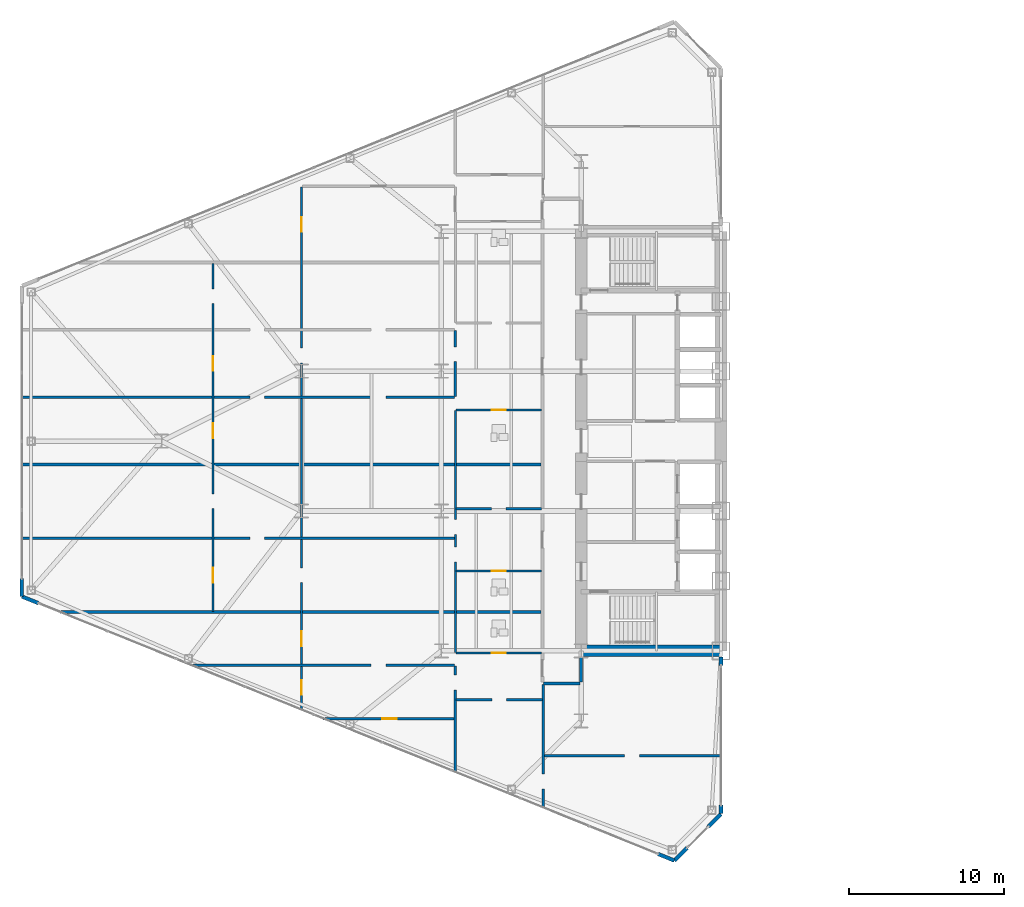
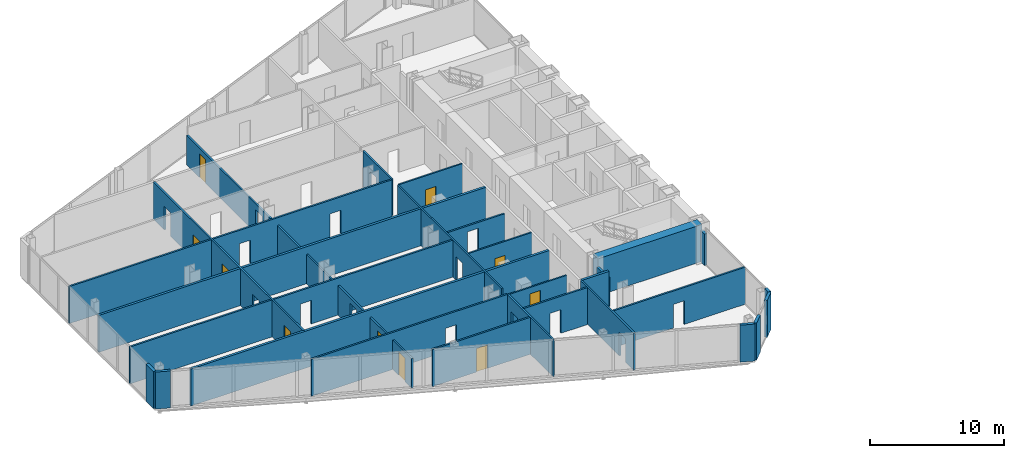
# One storey, part 17 of 25: 28 walls, 10 doors, 26 openings.
"""IFC4 building model written with IfcOpenShell, lengths in metres."""

import ifcopenshell
import ifcopenshell.guid

model = None  # the IFC model being written
_history = None  # IfcOwnerHistory: only IFC2X3 demands one
_inside = {}  # id of a spatial element -> (the spatial element, [elements in it])
_under = {}  # id of a project, library or spatial element -> (it, [spatial elements below it])
_declared = {}  # id of a project -> (the project, [libraries it declares])
_typed = {}  # id of a type object -> (the type object, [elements of that type])
_made_of = {}  # id of a material, layer set ... -> (it, [elements and type objects made of it])


def new_model(schema):
    """Start an empty IFC model of exactly this schema.

    Asked for "IFC4X3", IfcOpenShell would pick the latest addendum, in which some entities
    have other attributes; the version numbers below select the first issue.
    IFC2X3 requires an IfcOwnerHistory on every rooted entity: one is made here for all.
    """
    global model, _history
    if schema == "IFC4X3":
        model = ifcopenshell.file(schema_version=(4, 3, 0, 0))
    else:
        model = ifcopenshell.file(schema=schema)
    _inside.clear()
    _under.clear()
    _declared.clear()
    _typed.clear()
    _made_of.clear()
    _history = None
    if model.schema == "IFC2X3":
        org = make("IfcOrganization", Name="unknown")
        user = make(
            "IfcPersonAndOrganization",
            ThePerson=make("IfcPerson", FamilyName="unknown"),
            TheOrganization=org,
        )
        app = make(
            "IfcApplication",
            ApplicationDeveloper=org,
            Version="unknown",
            ApplicationFullName="unknown",
            ApplicationIdentifier="unknown",
        )
        _history = make(
            "IfcOwnerHistory",
            OwningUser=user,
            OwningApplication=app,
            ChangeAction="ADDED",
            CreationDate=0,
        )
    return model


def make(cls, **values):
    """One entity of the class cls with the attributes given. An attribute that is None is left unset."""
    return model.create_entity(
        cls, **{name: value for name, value in values.items() if value is not None}
    )


def rooted(cls, **values):
    """An entity with a GlobalId (a new one), such as an element, a storey or a relation."""
    return make(cls, GlobalId=ifcopenshell.guid.new(), OwnerHistory=_history, **values)


def si_unit(unit_type, name, prefix=None):
    """IfcSIUnit, for example si_unit("LENGTHUNIT", "METRE", prefix="MILLI")."""
    return make("IfcSIUnit", UnitType=unit_type, Prefix=prefix, Name=name)


def assignment(units):
    """IfcUnitAssignment: the units of a project."""
    return None if units is None else make("IfcUnitAssignment", Units=units)


def point(xyz):
    """IfcCartesianPoint."""
    return None if xyz is None else make("IfcCartesianPoint", Coordinates=xyz)


def direction(xyz):
    """IfcDirection."""
    return None if xyz is None else make("IfcDirection", DirectionRatios=xyz)


def frame(location, z_axis=None, x_axis=None):
    """IfcAxis2Placement3D, a coordinate frame: its origin and axes. An axis left out is left unset."""
    return make(
        "IfcAxis2Placement3D",
        Location=point(location),
        Axis=direction(z_axis),
        RefDirection=direction(x_axis),
    )


def frame_2d(location, x_axis=None):
    """IfcAxis2Placement2D, a coordinate frame in the plane: its origin and x axis."""
    return make(
        "IfcAxis2Placement2D", Location=point(location), RefDirection=direction(x_axis)
    )


def origin():
    """The frame at (0, 0, 0) with its axes left unset."""
    return frame((0.0, 0.0, 0.0))


def place(relative_to, where):
    """IfcLocalPlacement: puts the frame where relative to a parent placement (None: the world)."""
    return make(
        "IfcLocalPlacement", PlacementRelTo=relative_to, RelativePlacement=where
    )


def context(
    kind, dimensions, precision=None, world=None, true_north=None, identifier=None
):
    """IfcGeometricRepresentationContext, for example the 3D "Model" context."""
    return make(
        "IfcGeometricRepresentationContext",
        ContextIdentifier=identifier,
        ContextType=kind,
        CoordinateSpaceDimension=dimensions,
        Precision=precision,
        WorldCoordinateSystem=world,
        TrueNorth=true_north,
    )


def subcontext(parent, identifier, kind, view, scale=None):
    """IfcGeometricRepresentationSubContext, for example "Body" below "Model"."""
    return make(
        "IfcGeometricRepresentationSubContext",
        ContextIdentifier=identifier,
        ContextType=kind,
        ParentContext=parent,
        TargetScale=scale,
        TargetView=view,
    )


def project(units=None, contexts=None):
    """IfcProject with its units and contexts."""
    return rooted(
        "IfcProject",
        Name="project",
        RepresentationContexts=contexts,
        UnitsInContext=assignment(units),
    )


def spatial(cls, under=None, at=None, **own):
    """A site, building, storey or space (cls), placed at a placement, below another one or the project."""
    s = rooted(cls, ObjectPlacement=at, **own)
    if under is not None:
        _under.setdefault(under.id(), (under, []))[1].append(s)
    return s


def profile(cls, at=None, kind="AREA", **sizes):
    """A parametric profile (cls). Its sizes go by their IFC names, for example OverallWidth=200.0."""
    return make(cls, ProfileType=kind, Position=at, **sizes)


def rectangle(**sizes):
    """IfcRectangleProfileDef."""
    return profile("IfcRectangleProfileDef", **sizes)


def extrude(swept, where, along, depth):
    """IfcExtrudedAreaSolid: the profile swept, set in the frame where, extruded along a direction by depth."""
    return make(
        "IfcExtrudedAreaSolid",
        SweptArea=swept,
        Position=where,
        ExtrudedDirection=direction(along),
        Depth=depth,
    )


def shape(context_of_items, identifier, shape_type, items):
    """IfcShapeRepresentation: the items that make up one representation, for example the "Body"."""
    return make(
        "IfcShapeRepresentation",
        ContextOfItems=context_of_items,
        RepresentationIdentifier=identifier,
        RepresentationType=shape_type,
        Items=items,
    )


def source(mapping_origin, context_of_items, identifier, shape_type, items):
    """IfcRepresentationMap: a shape defined once, which mapped items show again and again."""
    return make(
        "IfcRepresentationMap",
        MappingOrigin=mapping_origin,
        MappedRepresentation=shape(context_of_items, identifier, shape_type, items),
    )


def transform(
    local_origin,
    x_axis=None,
    y_axis=None,
    z_axis=None,
    scale=None,
    scale2=None,
    scale3=None,
    uniform=True,
):
    """IfcCartesianTransformationOperator3D, or its non-uniform kind. x_axis, y_axis, z_axis: its Axis1, 2, 3."""
    if uniform:
        return make(
            "IfcCartesianTransformationOperator3D",
            Axis1=direction(x_axis),
            Axis2=direction(y_axis),
            LocalOrigin=point(local_origin),
            Scale=scale,
            Axis3=direction(z_axis),
        )
    return make(
        "IfcCartesianTransformationOperator3DnonUniform",
        Axis1=direction(x_axis),
        Axis2=direction(y_axis),
        LocalOrigin=point(local_origin),
        Scale=scale,
        Axis3=direction(z_axis),
        Scale2=scale2,
        Scale3=scale3,
    )


def mapped(mapping_source, mapping_target):
    """IfcMappedItem: shows the shape of a source again, moved by a transform."""
    return make(
        "IfcMappedItem", MappingSource=mapping_source, MappingTarget=mapping_target
    )


def material(Name=None, Category=None):
    """IfcMaterial."""
    return make("IfcMaterial", Name=Name, Category=Category)


def layer(
    of_material, thickness, ventilated=None, Name=None, Category=None, Priority=None
):
    """IfcMaterialLayer: one layer of a wall or slab, of a material (None: an air gap)."""
    return make(
        "IfcMaterialLayer",
        Material=of_material,
        LayerThickness=thickness,
        IsVentilated=ventilated,
        Name=Name,
        Category=Category,
        Priority=Priority,
    )


def layer_set(layers, Name=None):
    """IfcMaterialLayerSet."""
    return make("IfcMaterialLayerSet", MaterialLayers=layers, LayerSetName=Name)


def made_of(thing, what):
    """Note that an element or type object is made of a material, layer set ...; save() writes the relation."""
    if what is not None:
        _made_of.setdefault(what.id(), (what, []))[1].append(thing)
    return thing


def type_object(cls, material=None, **own):
    """A type object (cls), such as IfcWallType, which elements share."""
    return made_of(rooted(cls, **own), material)


def type_shapes(of_type, sources):
    """Give a type object the sources (RepresentationMaps) that its elements show as mapped items."""
    of_type.RepresentationMaps = sources


def element(
    cls,
    number,
    at=None,
    inside=None,
    cuts=None,
    type_object=None,
    material=None,
    context=None,
    identifier="Body",
    shape_type=None,
    held_by="IfcProductDefinitionShape",
    body=None,
    shapes=None,
    **own,
):
    """One element of the class cls, such as IfcWall. Its Tag is "e" and its number.

    at: its placement. inside: the storey or other place that contains it. cuts: it is an
    opening in that element (IfcRelVoidsElement). A single representation is given by context,
    identifier, shape_type and body (its items); several are given by shapes. held_by: the class
    of the entity that holds the representations. save() writes the other relations.
    """
    e = rooted(cls, Tag="e%d" % number, ObjectPlacement=at, **own)
    if body is not None:
        shapes = [shape(context, identifier, shape_type, body)]
    if shapes is not None:
        e.Representation = make(held_by, Representations=shapes)
    if inside is not None:
        _inside.setdefault(inside.id(), (inside, []))[1].append(e)
    if cuts is not None:
        rooted(
            "IfcRelVoidsElement", RelatingBuildingElement=cuts, RelatedOpeningElement=e
        )
    if type_object is not None:
        _typed.setdefault(type_object.id(), (type_object, []))[1].append(e)
    return made_of(e, material)


def fill(opening, filler):
    """IfcRelFillsElement: the door or window that sits in an opening."""
    return rooted(
        "IfcRelFillsElement",
        RelatingOpeningElement=opening,
        RelatedBuildingElement=filler,
    )


def aggregate(whole, parts):
    """IfcRelAggregates: a whole, such as a stair, and the parts it consists of."""
    return rooted("IfcRelAggregates", RelatingObject=whole, RelatedObjects=parts)


def save(model, path):
    """Write the relations noted so far, then the file.

    IfcRelAggregates (storeys below a building ...), IfcRelContainedInSpatialStructure (elements
    in a storey), IfcRelDefinesByType, IfcRelAssociatesMaterial and IfcRelDeclares: one each for
    every whole, place, type object, material and project.
    """
    for whole, parts in _under.values():
        aggregate(whole, parts)
    for where, things in _inside.values():
        rooted(
            "IfcRelContainedInSpatialStructure",
            RelatedElements=things,
            RelatingStructure=where,
        )
    for kind, things in _typed.values():
        rooted("IfcRelDefinesByType", RelatedObjects=things, RelatingType=kind)
    for what, things in _made_of.values():
        rooted("IfcRelAssociatesMaterial", RelatedObjects=things, RelatingMaterial=what)
    for by, libraries in _declared.values():
        rooted("IfcRelDeclares", RelatingContext=by, RelatedDefinitions=libraries)
    model.write(path)


model = new_model("IFC4")

# Units and contexts
model_context = context("Model", 3, precision=1e-05, world=origin(), true_north=direction((0.0, 1.0)))
body_context = subcontext(model_context, "Body", "Model", "MODEL_VIEW")
ifc_project = project(units=[si_unit("LENGTHUNIT", "METRE"), si_unit("AREAUNIT", "SQUARE_METRE"), si_unit("VOLUMEUNIT", "CUBIC_METRE"), si_unit("PLANEANGLEUNIT", "RADIAN"), si_unit("MASSUNIT", "GRAM", prefix="KILO")], contexts=[model_context])

# Site, building, storey
site_placement = place(None, origin())
site = spatial("IfcSite", under=ifc_project, at=site_placement, CompositionType="ELEMENT")
building_placement = place(site_placement, origin())
building = spatial("IfcBuilding", under=site, at=building_placement, Name="Seokmaru Belvedere", CompositionType="ELEMENT")
storey_placement = place(building_placement, frame((0.0, 0.0, 40.5)))
storey = spatial("IfcBuildingStorey", under=building, at=storey_placement, Name="L10", CompositionType="ELEMENT", Elevation=40.5)

# Wall, opening
ifc_material_1 = material(Name="Fire-Rated Gypsum Shaftwall")
ifc_layer_1 = layer(ifc_material_1, 0.14990234375)
ifc_layer_set_1 = layer_set([ifc_layer_1], Name="Fire-Rated Gypsum Shaftwall")
wall_type_1 = type_object("IfcWallType", Name="Apartment Fire-Acoustic Room Partition 150", PredefinedType="PARTITIONING", material=ifc_layer_set_1)
wall_1_placement = place(storey_placement, frame((-38.89990234375, -20.25, 0.0), z_axis=(0.0, 0.0, 1.0), x_axis=(1.0, 0.0, 0.0)))
wall_1 = element("IfcWall", 1, at=wall_1_placement, inside=storey, type_object=wall_type_1, Name="L10 Interior Partition 001", PredefinedType="PARTITIONING", context=body_context, shape_type="SweptSolid", body=[
    extrude(rectangle(XDim=11.434814453125, YDim=0.14990234375, at=frame_2d((5.71728515625, 0.0))), origin(), (0.0, 0.0, 1.0), 3.3798828125),
])
opening_1_placement = place(wall_1_placement, frame((5.199951171875, 0.0, 0.0)))
element("IfcOpeningElement", 2, at=opening_1_placement, cuts=wall_1, Name="L10 Cased Opening 010", PredefinedType="OPENING", context=body_context, shape_type="SweptSolid", body=[
    extrude(rectangle(XDim=0.949951171875, YDim=2.14990234375, at=frame_2d((0.47509765625, 1.074951171875))), frame((0.0, 0.0849609375, 0.0), z_axis=(0.0, -1.0, 0.0), x_axis=(1.0, 0.0, 0.0)), (0.0, 0.0, 1.0), 0.169921875),
])

# Wall, opening, door
wall_2_placement = place(storey_placement, frame((-53.111083984375, -17.860107421875, 0.0), z_axis=(0.0, 0.0, 1.0), x_axis=(1.0, 0.0, 0.0)))
wall_2 = element("IfcWall", 3, at=wall_2_placement, inside=storey, type_object=wall_type_1, Name="L10 Interior Partition 004", PredefinedType="PARTITIONING", context=body_context, shape_type="SweptSolid", body=[
    extrude(rectangle(XDim=8.461181640625, YDim=0.14990234375, at=frame_2d((4.23046875, 0.0))), origin(), (0.0, 0.0, 1.0), 3.3798828125),
])
opening_2_placement = place(wall_2_placement, frame((3.797607421875, 0.0, 0.0)))
opening_2 = element("IfcOpeningElement", 4, at=opening_2_placement, cuts=wall_2, Name="Opening D05", PredefinedType="OPENING", context=body_context, shape_type="SweptSolid", body=[
    extrude(rectangle(XDim=0.949951171875, YDim=2.14990234375, at=frame_2d((0.47509765625, 1.074951171875))), frame((0.0, 0.0849609375, 0.0), z_axis=(0.0, -1.0, 0.0), x_axis=(1.0, 0.0, 0.0)), (0.0, 0.0, 1.0), 0.169921875),
])
ifc_material_2 = material(Name="Engineered White Oak Timber", Category="wood")
door_type_1 = type_object("IfcDoorType", Name="Apartment Interior Fire-Rated Oak Door 950x2150", OperationType="NOTDEFINED", PredefinedType="DOOR", material=ifc_material_2)
shared_shape_1 = source(origin(), body_context, "Body", "SweptSolid", [
    extrude(rectangle(XDim=0.949951171875, YDim=2.14990234375, at=frame_2d((0.47509765625, 1.074951171875))), frame((0.0, 0.02490234375, 0.0), z_axis=(0.0, -1.0, 0.0), x_axis=(1.0, 0.0, 0.0)), (0.0, 0.0, 1.0), 0.050048828125),
])
type_shapes(door_type_1, [shared_shape_1])
door_1_placement = place(opening_2_placement, origin())
door_1 = element("IfcDoor", 5, at=door_1_placement, inside=storey, type_object=door_type_1, Name="L10 Interior Door 006", OperationType="SINGLE_SWING_RIGHT", OverallHeight=2.14990234375, OverallWidth=0.949951171875, PredefinedType="DOOR", context=body_context, shape_type="MappedRepresentation", body=[
    mapped(shared_shape_1, transform((0.0, 0.0, 0.0), scale=1.0)),
])
fill(opening_2, door_1)

# Wall, opening
wall_3_placement = place(storey_placement, frame((-44.550048828125, -16.639892578125, 0.0), z_axis=(0.0, 0.0, 1.0), x_axis=(1.0, 0.0, 0.0)))
wall_3 = element("IfcWall", 6, at=wall_3_placement, inside=storey, type_object=wall_type_1, Name="L10 Interior Partition 006", PredefinedType="PARTITIONING", context=body_context, shape_type="SweptSolid", body=[
    extrude(rectangle(XDim=5.550048828125, YDim=0.14990234375, at=frame_2d((2.77490234375, 0.0))), origin(), (0.0, 0.0, 1.0), 3.3798828125),
])
opening_3_placement = place(wall_3_placement, frame((2.300048828125, 0.0, 0.0)))
element("IfcOpeningElement", 7, at=opening_3_placement, cuts=wall_3, Name="L10 Cased Opening 003", PredefinedType="OPENING", context=body_context, shape_type="SweptSolid", body=[
    extrude(rectangle(XDim=0.949951171875, YDim=2.14990234375, at=frame_2d((0.47509765625, 1.074951171875))), frame((0.0, 0.0849609375, 0.0), z_axis=(0.0, -1.0, 0.0), x_axis=(1.0, 0.0, 0.0)), (0.0, 0.0, 1.0), 0.169921875),
])

wall_4_placement = place(storey_placement, frame((-61.587890625, -14.429931640625, 0.0), z_axis=(0.0, 0.0, 1.0), x_axis=(1.0, 0.0, 0.0)))
wall_4 = element("IfcWall", 8, at=wall_4_placement, inside=storey, type_object=wall_type_1, Name="L10 Interior Partition 010", PredefinedType="PARTITIONING", context=body_context, shape_type="SweptSolid", body=[
    extrude(rectangle(XDim=16.93798828125, YDim=0.14990234375, at=frame_2d((8.468994140625, 0.0))), origin(), (0.0, 0.0, 1.0), 3.3798828125),
])
opening_4_placement = place(wall_4_placement, frame((11.56298828125, 0.0, 0.0)))
element("IfcOpeningElement", 9, at=opening_4_placement, cuts=wall_4, Name="L10 Cased Opening 007", PredefinedType="OPENING", context=body_context, shape_type="SweptSolid", body=[
    extrude(rectangle(XDim=0.949951171875, YDim=2.14990234375, at=frame_2d((0.47509765625, 1.074951171875))), frame((0.0, 0.0849609375, 0.0), z_axis=(0.0, -1.0, 0.0), x_axis=(1.0, 0.0, 0.0)), (0.0, 0.0, 1.0), 0.169921875),
])

wall_5_placement = place(storey_placement, frame((-72.534912109375, -6.25, 0.0), z_axis=(0.0, 0.0, 1.0), x_axis=(1.0, 0.0, 0.0)))
wall_5 = element("IfcWall", 10, at=wall_5_placement, inside=storey, type_object=wall_type_1, Name="L10 Interior Partition 018", PredefinedType="PARTITIONING", context=body_context, shape_type="SweptSolid", body=[
    extrude(rectangle(XDim=27.885009765625, YDim=0.14990234375, at=frame_2d((13.9423828125, 0.0))), origin(), (0.0, 0.0, 1.0), 3.3798828125),
])
opening_5_placement = place(wall_5_placement, frame((14.7099609375, 0.0, 0.0)))
element("IfcOpeningElement", 11, at=opening_5_placement, cuts=wall_5, Name="L10 Cased Opening 018", PredefinedType="OPENING", context=body_context, shape_type="SweptSolid", body=[
    extrude(rectangle(XDim=0.949951171875, YDim=2.14990234375, at=frame_2d((0.47509765625, 1.074951171875))), frame((0.0, 0.0849609375, 0.0), z_axis=(0.0, -1.0, 0.0), x_axis=(1.0, 0.0, 0.0)), (0.0, 0.0, 1.0), 0.169921875),
])

wall_6_placement = place(storey_placement, frame((-44.550048828125, -4.35009765625, 0.0), z_axis=(0.0, 0.0, 1.0), x_axis=(1.0, 0.0, 0.0)))
wall_6 = element("IfcWall", 12, at=wall_6_placement, inside=storey, type_object=wall_type_1, Name="L10 Interior Partition 019", PredefinedType="PARTITIONING", context=body_context, shape_type="SweptSolid", body=[
    extrude(rectangle(XDim=5.5, YDim=0.14990234375, at=frame_2d((2.75, 0.0))), origin(), (0.0, 0.0, 1.0), 2.679931640625),
])
opening_6_placement = place(wall_6_placement, frame((2.27490234375, 0.0, 0.0)))
element("IfcOpeningElement", 13, at=opening_6_placement, cuts=wall_6, Name="L10 Cased Opening 013", PredefinedType="OPENING", context=body_context, shape_type="SweptSolid", body=[
    extrude(rectangle(XDim=0.949951171875, YDim=2.14990234375, at=frame_2d((0.47509765625, 1.074951171875))), frame((0.0, 0.0849609375, 0.0), z_axis=(0.0, -1.0, 0.0), x_axis=(1.0, 0.0, 0.0)), (0.0, 0.0, 1.0), 0.169921875),
])

# Wall, openings
wall_7_placement = place(storey_placement, frame((-72.534912109375, 2.830078125, 0.0), z_axis=(0.0, 0.0, 1.0), x_axis=(1.0, 0.0, 0.0)))
wall_7 = element("IfcWall", 14, at=wall_7_placement, inside=storey, type_object=wall_type_1, Name="L10 Interior Partition 025", PredefinedType="PARTITIONING", context=body_context, shape_type="SweptSolid", body=[
    extrude(rectangle(XDim=27.885009765625, YDim=0.14990234375, at=frame_2d((13.9423828125, 0.0))), origin(), (0.0, 0.0, 1.0), 3.3798828125),
])
opening_7_placement = place(wall_7_placement, frame((22.510009765625, 0.0, 0.0)))
element("IfcOpeningElement", 15, at=opening_7_placement, cuts=wall_7, Name="L10 Cased Opening 025", PredefinedType="OPENING", context=body_context, shape_type="SweptSolid", body=[
    extrude(rectangle(XDim=0.949951171875, YDim=2.14990234375, at=frame_2d((0.47509765625, 1.074951171875))), frame((0.0, 0.0849609375, 0.0), z_axis=(0.0, -1.0, 0.0), x_axis=(1.0, 0.0, 0.0)), (0.0, 0.0, 1.0), 0.169921875),
])
opening_8_placement = place(wall_7_placement, frame((14.7099609375, 0.0, 0.0)))
element("IfcOpeningElement", 16, at=opening_8_placement, cuts=wall_7, Name="L10 Cased Opening 027", PredefinedType="OPENING", context=body_context, shape_type="SweptSolid", body=[
    extrude(rectangle(XDim=0.949951171875, YDim=2.14990234375, at=frame_2d((0.47509765625, 1.074951171875))), frame((0.0, 0.0849609375, 0.0), z_axis=(0.0, -1.0, 0.0), x_axis=(1.0, 0.0, 0.0)), (0.0, 0.0, 1.0), 0.169921875),
])

# Wall, openings, doors
wall_8_placement = place(storey_placement, frame((-60.199951171875, -10.949951171875, 0.0), z_axis=(0.0, 0.0, 1.0), x_axis=(0.0, 1.0, 0.0)))
wall_8 = element("IfcWall", 17, at=wall_8_placement, inside=storey, type_object=wall_type_1, Name="L10 Interior Partition 045", PredefinedType="PARTITIONING", context=body_context, shape_type="SweptSolid", body=[
    extrude(rectangle(XDim=22.39990234375, YDim=0.14990234375, at=frame_2d((11.199951171875, 0.0))), origin(), (0.0, 0.0, 1.0), 3.3798828125),
])
opening_9_placement = place(wall_8_placement, frame((1.85009765625, 0.0, 0.0)))
opening_9 = element("IfcOpeningElement", 18, at=opening_9_placement, cuts=wall_8, Name="Opening D05", PredefinedType="OPENING", context=body_context, shape_type="SweptSolid", body=[
    extrude(rectangle(XDim=0.949951171875, YDim=2.14990234375, at=frame_2d((0.47509765625, 1.074951171875))), frame((0.0, 0.0849609375, 0.0), z_axis=(0.0, -1.0, 0.0), x_axis=(1.0, 0.0, 0.0)), (0.0, 0.0, 1.0), 0.169921875),
])
opening_10_placement = place(wall_8_placement, frame((6.60009765625, 0.0, 0.0)))
element("IfcOpeningElement", 19, at=opening_10_placement, cuts=wall_8, Name="L10 Cased Opening 019", PredefinedType="OPENING", context=body_context, shape_type="SweptSolid", body=[
    extrude(rectangle(XDim=0.949951171875, YDim=2.14990234375, at=frame_2d((0.47509765625, 1.074951171875))), frame((0.0, 0.0849609375, 0.0), z_axis=(0.0, -1.0, 0.0), x_axis=(1.0, 0.0, 0.0)), (0.0, 0.0, 1.0), 0.169921875),
])
opening_11_placement = place(wall_8_placement, frame((11.1416015625, 0.0, 0.0)))
opening_11 = element("IfcOpeningElement", 20, at=opening_11_placement, cuts=wall_8, Name="Opening D05", PredefinedType="OPENING", context=body_context, shape_type="SweptSolid", body=[
    extrude(rectangle(XDim=0.949951171875, YDim=2.14990234375, at=frame_2d((0.47509765625, 1.074951171875))), frame((0.0, 0.0849609375, 0.0), z_axis=(0.0, -1.0, 0.0), x_axis=(1.0, 0.0, 0.0)), (0.0, 0.0, 1.0), 0.169921875),
])
opening_12_placement = place(wall_8_placement, frame((15.47509765625, 0.0, 0.0)))
opening_12 = element("IfcOpeningElement", 21, at=opening_12_placement, cuts=wall_8, Name="Opening D05", PredefinedType="OPENING", context=body_context, shape_type="SweptSolid", body=[
    extrude(rectangle(XDim=0.949951171875, YDim=2.14990234375, at=frame_2d((0.47509765625, 1.074951171875))), frame((0.0, 0.0849609375, 0.0), z_axis=(0.0, -1.0, 0.0), x_axis=(1.0, 0.0, 0.0)), (0.0, 0.0, 1.0), 0.169921875),
])
opening_13_placement = place(wall_8_placement, frame((19.808349609375, 0.0, 0.0)))
element("IfcOpeningElement", 22, at=opening_13_placement, cuts=wall_8, Name="L10 Cased Opening 031", PredefinedType="OPENING", context=body_context, shape_type="SweptSolid", body=[
    extrude(rectangle(XDim=0.949951171875, YDim=2.14990234375, at=frame_2d((0.47509765625, 1.074951171875))), frame((0.0, 0.0849609375, 0.0), z_axis=(0.0, -1.0, 0.0), x_axis=(1.0, 0.0, 0.0)), (0.0, 0.0, 1.0), 0.169921875),
])
door_2_placement = place(opening_9_placement, origin())
door_2 = element("IfcDoor", 23, at=door_2_placement, inside=storey, type_object=door_type_1, Name="L10 Interior Door 017", OperationType="SINGLE_SWING_RIGHT", OverallHeight=2.14990234375, OverallWidth=0.949951171875, PredefinedType="DOOR", context=body_context, shape_type="MappedRepresentation", body=[
    mapped(shared_shape_1, transform((0.0, 0.0, 0.0), scale=1.0)),
])
fill(opening_9, door_2)
door_3_placement = place(opening_11_placement, origin())
door_3 = element("IfcDoor", 24, at=door_3_placement, inside=storey, type_object=door_type_1, Name="L10 Interior Door 028", OperationType="SINGLE_SWING_RIGHT", OverallHeight=2.14990234375, OverallWidth=0.949951171875, PredefinedType="DOOR", context=body_context, shape_type="MappedRepresentation", body=[
    mapped(shared_shape_1, transform((0.0, 0.0, 0.0), scale=1.0)),
])
fill(opening_11, door_3)
door_4_placement = place(opening_12_placement, origin())
door_4 = element("IfcDoor", 25, at=door_4_placement, inside=storey, type_object=door_type_1, Name="L10 Interior Door 029", OperationType="SINGLE_SWING_RIGHT", OverallHeight=2.14990234375, OverallWidth=0.949951171875, PredefinedType="DOOR", context=body_context, shape_type="MappedRepresentation", body=[
    mapped(shared_shape_1, transform((0.0, 0.0, 0.0), scale=1.0)),
])
fill(opening_12, door_4)

wall_9_placement = place(storey_placement, frame((-54.5, -17.321044921875, 0.0), z_axis=(0.0, 0.0, 1.0), x_axis=(0.0, 1.0, 0.0)))
wall_9 = element("IfcWall", 26, at=wall_9_placement, inside=storey, type_object=wall_type_1, Name="L10 Interior Partition 046", PredefinedType="PARTITIONING", context=body_context, shape_type="SweptSolid", body=[
    extrude(rectangle(XDim=33.6669921875, YDim=0.14990234375, at=frame_2d((16.83349609375, 0.0))), origin(), (0.0, 0.0, 1.0), 2.679931640625),
])
opening_14_placement = place(wall_9_placement, frame((0.98779296875, 0.0, 0.0)))
opening_14 = element("IfcOpeningElement", 27, at=opening_14_placement, cuts=wall_9, Name="Opening D05", PredefinedType="OPENING", context=body_context, shape_type="SweptSolid", body=[
    extrude(rectangle(XDim=0.949951171875, YDim=2.14990234375, at=frame_2d((0.47509765625, 1.074951171875))), frame((0.0, 0.0849609375, 0.0), z_axis=(0.0, -1.0, 0.0), x_axis=(1.0, 0.0, 0.0)), (0.0, 0.0, 1.0), 0.169921875),
])
opening_15_placement = place(wall_9_placement, frame((4.130615234375, 0.0, 0.0)))
opening_15 = element("IfcOpeningElement", 28, at=opening_15_placement, cuts=wall_9, Name="Opening D05", PredefinedType="OPENING", context=body_context, shape_type="SweptSolid", body=[
    extrude(rectangle(XDim=0.949951171875, YDim=2.14990234375, at=frame_2d((0.47509765625, 1.074951171875))), frame((0.0, 0.0849609375, 0.0), z_axis=(0.0, -1.0, 0.0), x_axis=(1.0, 0.0, 0.0)), (0.0, 0.0, 1.0), 0.169921875),
])
opening_16_placement = place(wall_9_placement, frame((8.220947265625, 0.0, 0.0)))
element("IfcOpeningElement", 29, at=opening_16_placement, cuts=wall_9, Name="L10 Cased Opening 016", PredefinedType="OPENING", context=body_context, shape_type="SweptSolid", body=[
    extrude(rectangle(XDim=0.949951171875, YDim=2.14990234375, at=frame_2d((0.47509765625, 1.074951171875))), frame((0.0, 0.0849609375, 0.0), z_axis=(0.0, -1.0, 0.0), x_axis=(1.0, 0.0, 0.0)), (0.0, 0.0, 1.0), 0.169921875),
])
opening_17_placement = place(wall_9_placement, frame((22.356689453125, 0.0, 0.0)))
element("IfcOpeningElement", 30, at=opening_17_placement, cuts=wall_9, Name="L10 Cased Opening 024", PredefinedType="OPENING", context=body_context, shape_type="SweptSolid", body=[
    extrude(rectangle(XDim=0.949951171875, YDim=2.14990234375, at=frame_2d((0.47509765625, 1.074951171875))), frame((0.0, 0.0849609375, 0.0), z_axis=(0.0, -1.0, 0.0), x_axis=(1.0, 0.0, 0.0)), (0.0, 0.0, 1.0), 0.169921875),
])
opening_18_placement = place(wall_9_placement, frame((30.794189453125, 0.0, 0.0)))
opening_18 = element("IfcOpeningElement", 31, at=opening_18_placement, cuts=wall_9, Name="Opening D05", PredefinedType="OPENING", context=body_context, shape_type="SweptSolid", body=[
    extrude(rectangle(XDim=0.949951171875, YDim=2.14990234375, at=frame_2d((0.47509765625, 1.074951171875))), frame((0.0, 0.0849609375, 0.0), z_axis=(0.0, -1.0, 0.0), x_axis=(1.0, 0.0, 0.0)), (0.0, 0.0, 1.0), 0.169921875),
])
door_5_placement = place(opening_14_placement, origin())
door_5 = element("IfcDoor", 32, at=door_5_placement, inside=storey, type_object=door_type_1, Name="L10 Interior Door 005", OperationType="SINGLE_SWING_RIGHT", OverallHeight=2.14990234375, OverallWidth=0.949951171875, PredefinedType="DOOR", context=body_context, shape_type="MappedRepresentation", body=[
    mapped(shared_shape_1, transform((0.0, 0.0, 0.0), scale=1.0)),
])
fill(opening_14, door_5)
door_6_placement = place(opening_15_placement, origin())
door_6 = element("IfcDoor", 33, at=door_6_placement, inside=storey, type_object=door_type_1, Name="L10 Interior Door 008", OperationType="SINGLE_SWING_LEFT", OverallHeight=2.14990234375, OverallWidth=0.949951171875, PredefinedType="DOOR", context=body_context, shape_type="MappedRepresentation", body=[
    mapped(shared_shape_1, transform((0.0, 0.0, 0.0), scale=1.0)),
])
fill(opening_15, door_6)
door_7_placement = place(opening_18_placement, origin())
door_7 = element("IfcDoor", 34, at=door_7_placement, inside=storey, type_object=door_type_1, Name="L10 Interior Door 037", OperationType="SINGLE_SWING_RIGHT", OverallHeight=2.14990234375, OverallWidth=0.949951171875, PredefinedType="DOOR", context=body_context, shape_type="MappedRepresentation", body=[
    mapped(shared_shape_1, transform((0.0, 0.0, 0.0), scale=1.0)),
])
fill(opening_18, door_7)

# Wall, opening
wall_10_placement = place(storey_placement, frame((-44.60009765625, -21.327880859375, 0.0), z_axis=(0.0, 0.0, 1.0), x_axis=(0.0, 1.0, 0.0)))
wall_10 = element("IfcWall", 35, at=wall_10_placement, inside=storey, type_object=wall_type_1, Name="L10 Interior Partition 047", PredefinedType="PARTITIONING", context=body_context, shape_type="SweptSolid", body=[
    extrude(rectangle(XDim=6.846923828125, YDim=0.14990234375, at=frame_2d((3.42333984375, 0.0))), origin(), (0.0, 0.0, 1.0), 3.3798828125),
])
opening_19_placement = place(wall_10_placement, frame((5.31494140625, 0.0, 0.0)))
element("IfcOpeningElement", 36, at=opening_19_placement, cuts=wall_10, Name="L10 Cased Opening 004", PredefinedType="OPENING", context=body_context, shape_type="SweptSolid", body=[
    extrude(rectangle(XDim=0.949951171875, YDim=2.14990234375, at=frame_2d((0.47509765625, 1.074951171875))), frame((0.0, 0.0849609375, 0.0), z_axis=(0.0, -1.0, 0.0), x_axis=(1.0, 0.0, 0.0)), (0.0, 0.0, 1.0), 0.169921875),
])

wall_11_placement = place(storey_placement, frame((-44.60009765625, 2.883056640625, 0.0), z_axis=(0.0, 0.0, 1.0), x_axis=(0.0, 1.0, 0.0)))
wall_11 = element("IfcWall", 37, at=wall_11_placement, inside=storey, type_object=wall_type_1, Name="L10 Interior Partition 049", PredefinedType="PARTITIONING", context=body_context, shape_type="SweptSolid", body=[
    extrude(rectangle(XDim=4.23388671875, YDim=0.14990234375, at=frame_2d((2.116943359375, 0.0))), origin(), (0.0, 0.0, 1.0), 3.3798828125),
])
opening_20_placement = place(wall_11_placement, frame((2.23486328125, 0.0, 0.0)))
element("IfcOpeningElement", 38, at=opening_20_placement, cuts=wall_11, Name="L10 Cased Opening 023", PredefinedType="OPENING", context=body_context, shape_type="SweptSolid", body=[
    extrude(rectangle(XDim=0.949951171875, YDim=2.14990234375, at=frame_2d((0.47509765625, 1.074951171875))), frame((0.0, 0.0849609375, 0.0), z_axis=(0.0, -1.0, 0.0), x_axis=(1.0, 0.0, 0.0)), (0.0, 0.0, 1.0), 0.169921875),
])

wall_12_placement = place(storey_placement, frame((-38.949951171875, -23.614990234375, 0.0), z_axis=(0.0, 0.0, 1.0), x_axis=(0.0, 1.0, 0.0)))
wall_12 = element("IfcWall", 39, at=wall_12_placement, inside=storey, type_object=wall_type_1, Name="L10 Interior Partition 053", PredefinedType="PARTITIONING", context=body_context, shape_type="SweptSolid", body=[
    extrude(rectangle(XDim=7.965087890625, YDim=0.14990234375, at=frame_2d((3.982421875, 0.0))), origin(), (0.0, 0.0, 1.0), 3.3798828125),
])
opening_21_placement = place(wall_12_placement, frame((1.22509765625, 0.0, 0.0)))
element("IfcOpeningElement", 40, at=opening_21_placement, cuts=wall_12, Name="L10 Cased Opening 009", PredefinedType="OPENING", context=body_context, shape_type="SweptSolid", body=[
    extrude(rectangle(XDim=0.949951171875, YDim=2.14990234375, at=frame_2d((0.47509765625, 1.074951171875))), frame((0.0, 0.0849609375, 0.0), z_axis=(0.0, -1.0, 0.0), x_axis=(1.0, 0.0, 0.0)), (0.0, 0.0, 1.0), 0.169921875),
])

# Walls
ifc_layer_2 = layer(ifc_material_1, 0.199951171875)
ifc_layer_set_2 = layer_set([ifc_layer_2], Name="Fire-Rated Gypsum Shaftwall")
wall_type_2 = type_object("IfcWallType", Name="Inter-Tenancy Fire Compartment Partition 200", PredefinedType="PARTITIONING", material=ifc_layer_set_2)
wall_13_placement = place(storey_placement, frame((-38.9150390625, -15.60009765625, 0.0), z_axis=(0.0, 0.0, 1.0), x_axis=(1.0, 0.0, 0.0)))
element("IfcWall", 41, at=wall_13_placement, inside=storey, type_object=wall_type_2, Name="L10 Interior Partition 007", PredefinedType="PARTITIONING", context=body_context, shape_type="SweptSolid", body=[
    extrude(rectangle(XDim=2.330078125, YDim=0.199951171875, at=frame_2d((1.1650390625, 0.0))), origin(), (0.0, 0.0, 1.0), 3.3798828125),
])
wall_14_placement = place(storey_placement, frame((-70.04296875, -11.0, 0.0), z_axis=(0.0, 0.0, 1.0), x_axis=(1.0, 0.0, 0.0)))
element("IfcWall", 42, at=wall_14_placement, inside=storey, type_object=wall_type_2, Name="L10 Interior Partition 014", PredefinedType="PARTITIONING", context=body_context, shape_type="SweptSolid", body=[
    extrude(rectangle(XDim=30.962890625, YDim=0.199951171875, at=frame_2d((15.4814453125, 0.0))), origin(), (0.0, 0.0, 1.0), 3.3798828125),
])
wall_15_placement = place(storey_placement, frame((-72.5048828125, -1.5, 0.0), z_axis=(0.0, 0.0, 1.0), x_axis=(1.0, 0.0, 0.0)))
element("IfcWall", 43, at=wall_15_placement, inside=storey, type_object=wall_type_2, Name="L10 Interior Partition 022", PredefinedType="PARTITIONING", context=body_context, shape_type="SweptSolid", body=[
    extrude(rectangle(XDim=33.4248046875, YDim=0.199951171875, at=frame_2d((16.71240234375, 0.0))), origin(), (0.0, 0.0, 1.0), 3.3798828125),
])
wall_16_placement = place(storey_placement, frame((-36.5, -15.514892578125, 0.0), z_axis=(0.0, 0.0, 1.0), x_axis=(0.0, 1.0, 0.0)))
element("IfcWall", 44, at=wall_16_placement, inside=storey, type_object=wall_type_2, Name="L10 Interior Partition 055", PredefinedType="PARTITIONING", context=body_context, shape_type="SweptSolid", body=[
    extrude(rectangle(XDim=1.635009765625, YDim=0.199951171875, at=frame_2d((0.8173828125, 0.0))), origin(), (0.0, 0.0, 1.0), 2.679931640625),
])
ifc_material_3 = material(Name="Concrete C60 (60 MPa)", Category="concrete")
ifc_layer_3 = layer(ifc_material_3, 0.75)
ifc_layer_set_3 = layer_set([ifc_layer_3], Name="Concrete C60 (60 MPa)")
wall_type_3 = type_object("IfcWallType", Name="Lower Tower Reinforced Concrete Core Wall 750", PredefinedType="SHEAR", material=ifc_layer_set_3)
wall_17_placement = place(storey_placement, frame((-36.5, -13.5, 0.0), z_axis=(0.0, 0.0, 1.0), x_axis=(1.0, 0.0, 0.0)))
element("IfcWall", 45, at=wall_17_placement, inside=storey, type_object=wall_type_3, Name="L10 West South Core Wall", PredefinedType="SHEAR", context=body_context, shape_type="SweptSolid", body=[
    extrude(rectangle(XDim=9.0, YDim=0.75, at=frame_2d((4.5, 0.0))), origin(), (0.0, 0.0, 1.0), 3.3798828125),
])

# Wall, opening, door
ifc_layer_4 = layer(ifc_material_1, 0.1298828125)
ifc_layer_set_4 = layer_set([ifc_layer_4], Name="Fire-Rated Gypsum Shaftwall")
wall_type_4 = type_object("IfcWallType", Name="Moisture-Resistant Fire-Rated Bathroom Partition 130", PredefinedType="PARTITIONING", material=ifc_layer_set_4)
wall_18_placement = place(storey_placement, frame((-44.550048828125, -13.639892578125, 0.0), z_axis=(0.0, 0.0, 1.0), x_axis=(1.0, 0.0, 0.0)))
wall_18 = element("IfcWall", 46, at=wall_18_placement, inside=storey, type_object=wall_type_4, Name="L10 Interior Partition 012", PredefinedType="PARTITIONING", context=body_context, shape_type="SweptSolid", body=[
    extrude(rectangle(XDim=5.5, YDim=0.1298828125, at=frame_2d((2.75, 0.0))), origin(), (0.0, 0.0, 1.0), 2.679931640625),
])
opening_22_placement = place(wall_18_placement, frame((2.31005859375, 0.0, 0.0)))
opening_22 = element("IfcOpeningElement", 47, at=opening_22_placement, cuts=wall_18, Name="Opening D06", PredefinedType="OPENING", context=body_context, shape_type="SweptSolid", body=[
    extrude(rectangle(XDim=0.8798828125, YDim=2.10009765625, at=frame_2d((0.43994140625, 1.050048828125))), frame((0.0, 0.074951171875, 0.0), z_axis=(0.0, -1.0, 0.0), x_axis=(1.0, 0.0, 0.0)), (0.0, 0.0, 1.0), 0.14990234375),
])
door_type_2 = type_object("IfcDoorType", Name="Bathroom and Restroom Fire-Rated Door 880x2100", OperationType="NOTDEFINED", PredefinedType="DOOR", material=ifc_material_2)
shared_shape_2 = source(origin(), body_context, "Body", "SweptSolid", [
    extrude(rectangle(XDim=0.8798828125, YDim=2.10009765625, at=frame_2d((0.43994140625, 1.050048828125))), frame((0.0, 0.02490234375, 0.0), z_axis=(0.0, -1.0, 0.0), x_axis=(1.0, 0.0, 0.0)), (0.0, 0.0, 1.0), 0.050048828125),
])
type_shapes(door_type_2, [shared_shape_2])
door_8_placement = place(opening_22_placement, origin())
door_8 = element("IfcDoor", 48, at=door_8_placement, inside=storey, type_object=door_type_2, Name="L10 Interior Door 002", OperationType="SINGLE_SWING_LEFT", OverallHeight=2.10009765625, OverallWidth=0.8798828125, PredefinedType="DOOR", context=body_context, shape_type="MappedRepresentation", body=[
    mapped(shared_shape_2, transform((0.0, 0.0, 0.0), scale=1.0)),
])
fill(opening_22, door_8)

wall_19_placement = place(storey_placement, frame((-44.550048828125, -8.360107421875, 0.0), z_axis=(0.0, 0.0, 1.0), x_axis=(1.0, 0.0, 0.0)))
wall_19 = element("IfcWall", 49, at=wall_19_placement, inside=storey, type_object=wall_type_4, Name="L10 Interior Partition 016", PredefinedType="PARTITIONING", context=body_context, shape_type="SweptSolid", body=[
    extrude(rectangle(XDim=5.5, YDim=0.1298828125, at=frame_2d((2.75, 0.0))), origin(), (0.0, 0.0, 1.0), 3.3798828125),
])
opening_23_placement = place(wall_19_placement, frame((2.31005859375, 0.0, 0.0)))
opening_23 = element("IfcOpeningElement", 50, at=opening_23_placement, cuts=wall_19, Name="Opening D06", PredefinedType="OPENING", context=body_context, shape_type="SweptSolid", body=[
    extrude(rectangle(XDim=0.8798828125, YDim=2.10009765625, at=frame_2d((0.43994140625, 1.050048828125))), frame((0.0, 0.074951171875, 0.0), z_axis=(0.0, -1.0, 0.0), x_axis=(1.0, 0.0, 0.0)), (0.0, 0.0, 1.0), 0.14990234375),
])
door_9_placement = place(opening_23_placement, origin())
door_9 = element("IfcDoor", 51, at=door_9_placement, inside=storey, type_object=door_type_2, Name="L10 Interior Door 012", OperationType="SINGLE_SWING_LEFT", OverallHeight=2.10009765625, OverallWidth=0.8798828125, PredefinedType="DOOR", context=body_context, shape_type="MappedRepresentation", body=[
    mapped(shared_shape_2, transform((0.0, 0.0, 0.0), scale=1.0)),
])
fill(opening_23, door_9)

wall_20_placement = place(storey_placement, frame((-44.550048828125, 2.010009765625, 0.0), z_axis=(0.0, 0.0, 1.0), x_axis=(1.0, 0.0, 0.0)))
wall_20 = element("IfcWall", 52, at=wall_20_placement, inside=storey, type_object=wall_type_4, Name="L10 Interior Partition 024", PredefinedType="PARTITIONING", context=body_context, shape_type="SweptSolid", body=[
    extrude(rectangle(XDim=5.5, YDim=0.1298828125, at=frame_2d((2.75, 0.0))), origin(), (0.0, 0.0, 1.0), 3.3798828125),
])
opening_24_placement = place(wall_20_placement, frame((2.31005859375, 0.0, 0.0)))
opening_24 = element("IfcOpeningElement", 53, at=opening_24_placement, cuts=wall_20, Name="Opening D06", PredefinedType="OPENING", context=body_context, shape_type="SweptSolid", body=[
    extrude(rectangle(XDim=0.8798828125, YDim=2.10009765625, at=frame_2d((0.43994140625, 1.050048828125))), frame((0.0, 0.074951171875, 0.0), z_axis=(0.0, -1.0, 0.0), x_axis=(1.0, 0.0, 0.0)), (0.0, 0.0, 1.0), 0.14990234375),
])
door_10_placement = place(opening_24_placement, origin())
door_10 = element("IfcDoor", 54, at=door_10_placement, inside=storey, type_object=door_type_2, Name="L10 Interior Door 021", OperationType="SINGLE_SWING_LEFT", OverallHeight=2.10009765625, OverallWidth=0.8798828125, PredefinedType="DOOR", context=body_context, shape_type="MappedRepresentation", body=[
    mapped(shared_shape_2, transform((0.0, 0.0, 0.0), scale=1.0)),
])
fill(opening_24, door_10)

# Wall, openings
wall_21_placement = place(storey_placement, frame((-44.60009765625, -13.594970703125, 0.0), z_axis=(0.0, 0.0, 1.0), x_axis=(0.0, 1.0, 0.0)))
wall_21 = element("IfcWall", 55, at=wall_21_placement, inside=storey, type_object=wall_type_4, Name="L10 Interior Partition 048", PredefinedType="PARTITIONING", context=body_context, shape_type="SweptSolid", body=[
    extrude(rectangle(XDim=15.552978515625, YDim=0.1298828125, at=frame_2d((7.7763671875, 0.0))), origin(), (0.0, 0.0, 1.0), 3.3798828125),
])
opening_25_placement = place(wall_21_placement, frame((5.8173828125, 0.0, 0.0)))
element("IfcOpeningElement", 56, at=opening_25_placement, cuts=wall_21, Name="L10 Cased Opening 014", PredefinedType="OPENING", context=body_context, shape_type="SweptSolid", body=[
    extrude(rectangle(XDim=0.949951171875, YDim=2.14990234375, at=frame_2d((0.47509765625, 1.074951171875))), frame((0.0, 0.074951171875, 0.0), z_axis=(0.0, -1.0, 0.0), x_axis=(1.0, 0.0, 0.0)), (0.0, 0.0, 1.0), 0.14990234375),
])
opening_26_placement = place(wall_21_placement, frame((7.60205078125, 0.0, 0.0)))
element("IfcOpeningElement", 57, at=opening_26_placement, cuts=wall_21, Name="L10 Cased Opening 015", PredefinedType="OPENING", context=body_context, shape_type="SweptSolid", body=[
    extrude(rectangle(XDim=0.949951171875, YDim=2.14990234375, at=frame_2d((0.47509765625, 1.074951171875))), frame((0.0, 0.074951171875, 0.0), z_axis=(0.0, -1.0, 0.0), x_axis=(1.0, 0.0, 0.0)), (0.0, 0.0, 1.0), 0.14990234375),
])

# Walls
ifc_material_4 = material(Name="Anodised Bronze Aluminium", Category="aluminium")
ifc_layer_5 = layer(ifc_material_4, 0.239990234375)
ifc_layer_set_5 = layer_set([ifc_layer_5], Name="Anodised Bronze Aluminium")
wall_type_5 = type_object("IfcWallType", Name="Tower Corner Spandrel Closure Wall 240", PredefinedType="SOLIDWALL", material=ifc_layer_set_5)
wall_22_placement = place(storey_placement, frame((-27.5, -23.97998046875, 0.0), z_axis=(0.0, 0.0, 1.0), x_axis=(0.0, 1.0, 0.0)))
element("IfcWall", 58, at=wall_22_placement, inside=storey, type_object=wall_type_5, Name="L10 W Spine Closure Pier 1A", PredefinedType="SOLIDWALL", context=body_context, shape_type="SweptSolid", body=[
    extrude(rectangle(XDim=0.550048828125, YDim=0.239990234375, at=frame_2d((0.27490234375, 0.0))), origin(), (0.0, 0.0, 1.0), 3.3798828125),
])
wall_23_placement = place(storey_placement, frame((-27.5, -14.429931640625, 0.0), z_axis=(0.0, 0.0, 1.0), x_axis=(0.0, 1.0, 0.0)))
element("IfcWall", 59, at=wall_23_placement, inside=storey, type_object=wall_type_5, Name="L10 W Spine Closure Pier 1B", PredefinedType="SOLIDWALL", context=body_context, shape_type="SweptSolid", body=[
    extrude(rectangle(XDim=0.550048828125, YDim=0.239990234375, at=frame_2d((0.27490234375, 0.0))), origin(), (0.0, 0.0, 1.0), 2.8798828125),
])
for number, where, z_axis, x_axis, name in (
    (60, (-72.5, -8.85009765625, 0.0), (0.0, 0.0, 1.0), (0.0, -1.0, 0.0), "L10 W Corner Closure Pier 4B"),
    (61, (-72.49072265625, -10.00390625, 0.0), (0.0, 0.0, 1.0), (0.927007103665, -0.375043770452, 0.0), "L10 W Corner Closure Pier 5A"),
    (62, (-31.56591796875, -26.568603515625, 0.0), (0.0, 0.0, 1.0), (0.927007103665, -0.375043770452, 0.0), "L10 W Corner Closure Pier 5B"),
):
    element("IfcWall", number, at=place(storey_placement, frame(where, z_axis=z_axis, x_axis=x_axis)), inside=storey, type_object=wall_type_5, Name=name, PredefinedType="SOLIDWALL", context=body_context, shape_type="SweptSolid", body=[
        extrude(rectangle(XDim=1.139892578125, YDim=0.239990234375, at=frame_2d((0.56982421875, 0.0))), origin(), (0.0, 0.0, 1.0), 3.3798828125),
    ])
for number, where, z_axis, x_axis, name in (
    (63, (-30.492919921875, -26.992919921875, 0.0), (0.0, 0.0, 1.0), (0.707106781187, 0.707106781187, 0.0), "L10 W Corner Closure Pier 6A"),
    (64, (-28.313232421875, -24.813232421875, 0.0), (0.0, 0.0, 1.0), (0.707106781187, 0.707106781187, 0.0), "L10 W Corner Closure Pier 6B"),
):
    element("IfcWall", number, at=place(storey_placement, frame(where, z_axis=z_axis, x_axis=x_axis)), inside=storey, type_object=wall_type_5, Name=name, PredefinedType="SOLIDWALL", context=body_context, shape_type="SweptSolid", body=[
        extrude(rectangle(XDim=1.14013671875, YDim=0.239990234375, at=frame_2d((0.570068359375, 0.0))), origin(), (0.0, 0.0, 1.0), 3.3798828125),
    ])

save(model, "model.ifc")
